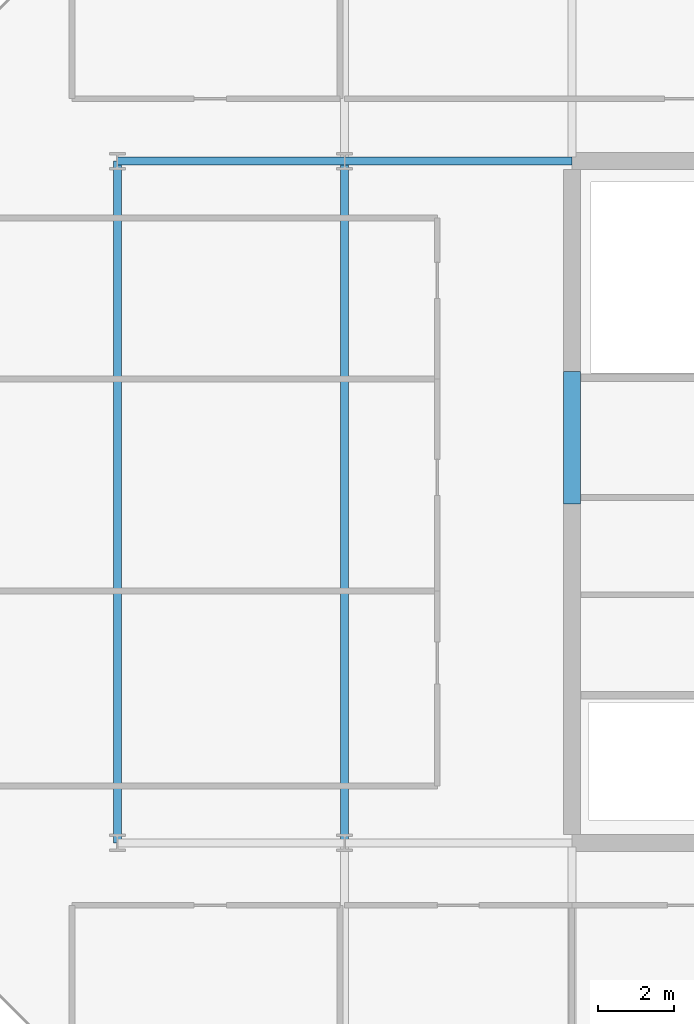
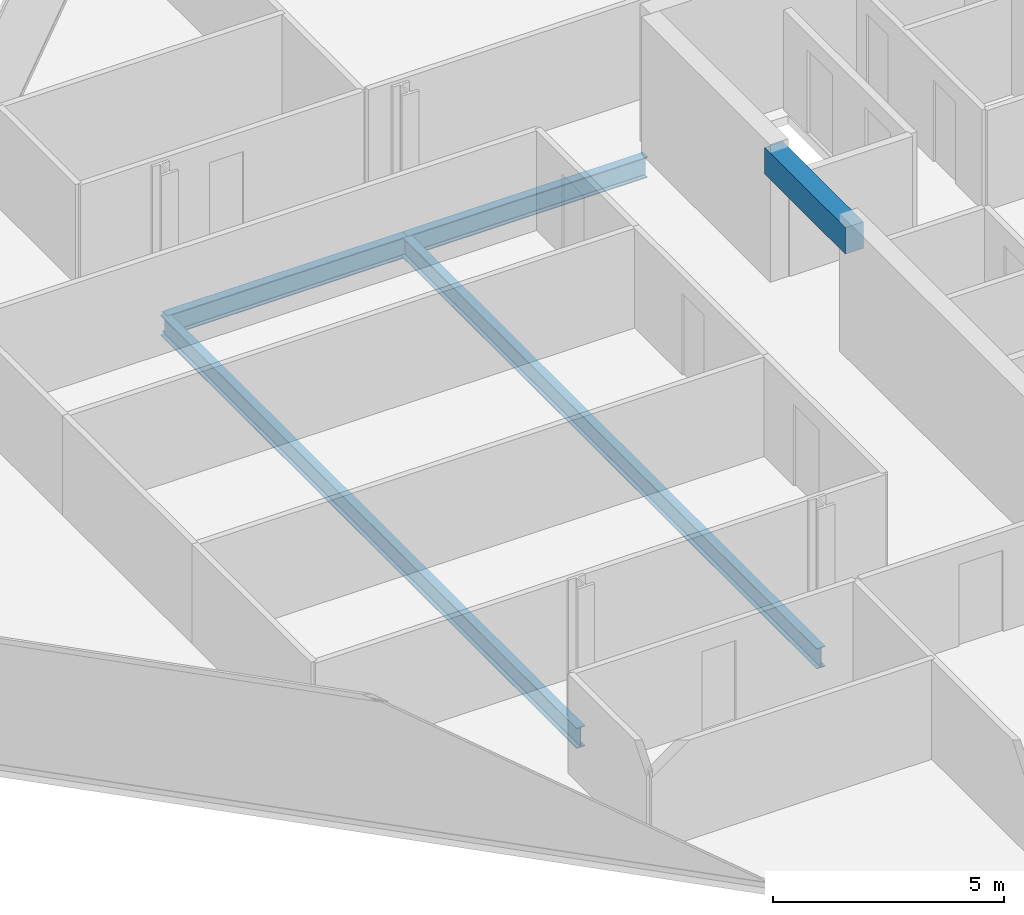
# One storey, part 5 of 17: 5 beams.
"""IFC4 building model written with IfcOpenShell, lengths in metres."""

from ifc_helpers import new_model, si_unit, direction, frame, origin, origin_2d, place, context, subcontext, project, spatial, rectangle, i_section, extrude, material, material_profile, profile_set, type_object, element, save


model = new_model("IFC4")

# Units and contexts
model_context = context("Model", 3, precision=1e-05, world=origin(), true_north=direction((0.0, 1.0)))
body_context = subcontext(model_context, "Body", "Model", "MODEL_VIEW")
ifc_project = project(units=[si_unit("LENGTHUNIT", "METRE"), si_unit("AREAUNIT", "SQUARE_METRE"), si_unit("VOLUMEUNIT", "CUBIC_METRE"), si_unit("PLANEANGLEUNIT", "RADIAN"), si_unit("MASSUNIT", "GRAM", prefix="KILO")], contexts=[model_context])

# Site, building, storey
site_placement = place(None, origin())
site = spatial("IfcSite", under=ifc_project, at=site_placement, CompositionType="ELEMENT")
building_placement = place(site_placement, origin())
building = spatial("IfcBuilding", under=site, at=building_placement, Name="Tanjung Sevakor Pilgrim Tower", CompositionType="ELEMENT")
storey_placement = place(building_placement, frame((0.0, 0.0, 267.9599609375)))
storey = spatial("IfcBuildingStorey", under=building, at=storey_placement, Name="L75", CompositionType="ELEMENT", Elevation=267.9599609375)

# Beams
ifc_material_1 = material(Name="Steel S355J2", Category="steel")
ifc_material_profile_1 = material_profile(ifc_material_1, i_section(OverallWidth=0.2119140625, OverallDepth=0.54443359375, WebThickness=0.0126953125, FlangeThickness=0.021240234375, FilletRadius=0.0126953125, at=origin_2d()))
ifc_profile_set_1 = profile_set([ifc_material_profile_1], Name="Steel S355J2")
beam_type_1 = type_object("IfcBeamType", Name="BM-B-G5-UB_533x210x122", PredefinedType="BEAM", material=ifc_profile_set_1)
for number, where, z_axis, x_axis, name in (
    (1, (66.0, 42.60009765625, -0.4921875), (1.0, 0.0, 0.0), (0.0, 1.0, 0.0), "L75 Primary Floor Girder EAST Y426-01"),
    (2, (72.0, 42.60009765625, -0.4921875), (1.0, 0.0, 0.0), (0.0, 1.0, 0.0), "L75 Primary Floor Girder EAST Y426-02"),
):
    element("IfcBeam", number, at=place(storey_placement, frame(where, z_axis=z_axis, x_axis=x_axis)), inside=storey, type_object=beam_type_1, Name=name, PredefinedType="BEAM", context=body_context, shape_type="SweptSolid", body=[
        extrude(i_section(OverallWidth=0.2119140625, OverallDepth=0.54443359375, WebThickness=0.0126953125, FlangeThickness=0.021240234375, FilletRadius=0.0126953125, at=origin_2d()), origin(), (0.0, 0.0, 1.0), 6.0),
    ])
ifc_material_2 = material(Name="Steel S355J2", Category="steel")
ifc_material_profile_2 = material_profile(ifc_material_2, i_section(OverallWidth=0.210693359375, OverallDepth=0.53955078125, WebThickness=0.01171875, FlangeThickness=0.018798828125, FilletRadius=0.0126953125, at=origin_2d()))
ifc_profile_set_2 = profile_set([ifc_material_profile_2], Name="Steel S355J2")
beam_type_2 = type_object("IfcBeamType", Name="BM-B-G6-UB_533x210x109", PredefinedType="BEAM", material=ifc_profile_set_2)
for number, where, z_axis, x_axis, name in (
    (3, (66.0, 24.60009765625, -0.48974609375), (0.0, 1.0, 0.0), (-1.0, 0.0, 0.0), "L75 EAST Girder 001"),
    (4, (72.0, 24.60009765625, -0.48974609375), (0.0, 1.0, 0.0), (-1.0, 0.0, 0.0), "L75 EAST Girder 003"),
):
    element("IfcBeam", number, at=place(storey_placement, frame(where, z_axis=z_axis, x_axis=x_axis)), inside=storey, type_object=beam_type_2, Name=name, PredefinedType="BEAM", context=body_context, shape_type="SweptSolid", body=[
        extrude(i_section(OverallWidth=0.210693359375, OverallDepth=0.53955078125, WebThickness=0.01171875, FlangeThickness=0.018798828125, FilletRadius=0.0126953125, at=origin_2d()), origin(), (0.0, 0.0, 1.0), 18.0),
    ])
ifc_material_3 = material(Name="Concrete C60/75", Category="concrete")
ifc_material_profile_3 = material_profile(ifc_material_3, rectangle(XDim=0.449951171875, YDim=0.699951171875, at=origin_2d()))
ifc_profile_set_3 = profile_set([ifc_material_profile_3], Name="Concrete C60/75")
beam_type_3 = type_object("IfcBeamType", Name="BM-B-LN3-RC-BM_450x700", PredefinedType="LINTEL", material=ifc_profile_set_3)
beam_placement = place(storey_placement, frame((78.0, 33.550048828125, 3.06005859375), z_axis=(0.0, 1.0, 0.0), x_axis=(-1.0, 0.0, 0.0)))
element("IfcBeam", 5, at=beam_placement, inside=storey, type_object=beam_type_3, Name="L75 E Core Coupling Lintel", PredefinedType="LINTEL", context=body_context, shape_type="SweptSolid", body=[
    extrude(rectangle(XDim=0.449951171875, YDim=0.699951171875, at=origin_2d()), origin(), (0.0, 0.0, 1.0), 3.5),
])

save(model, "model.ifc")
